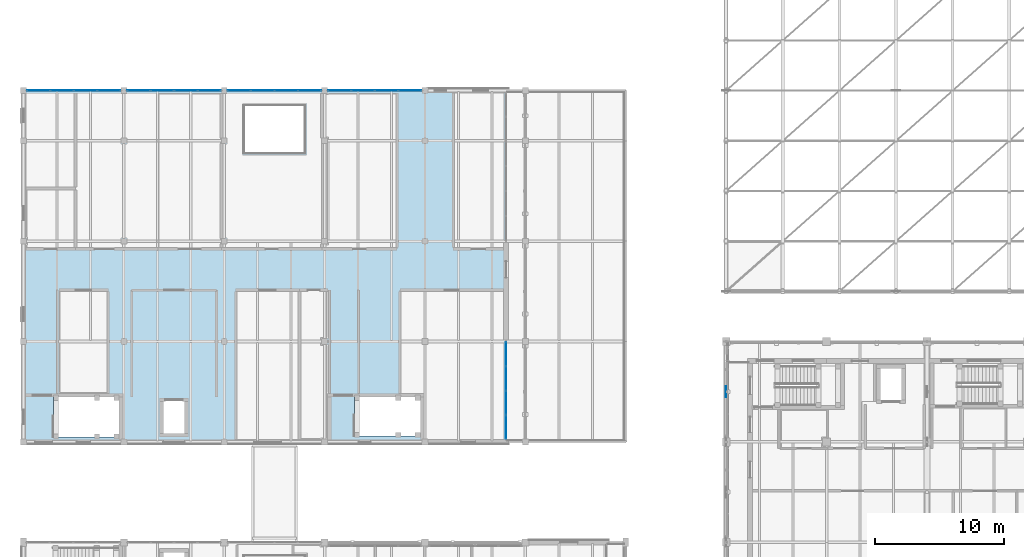
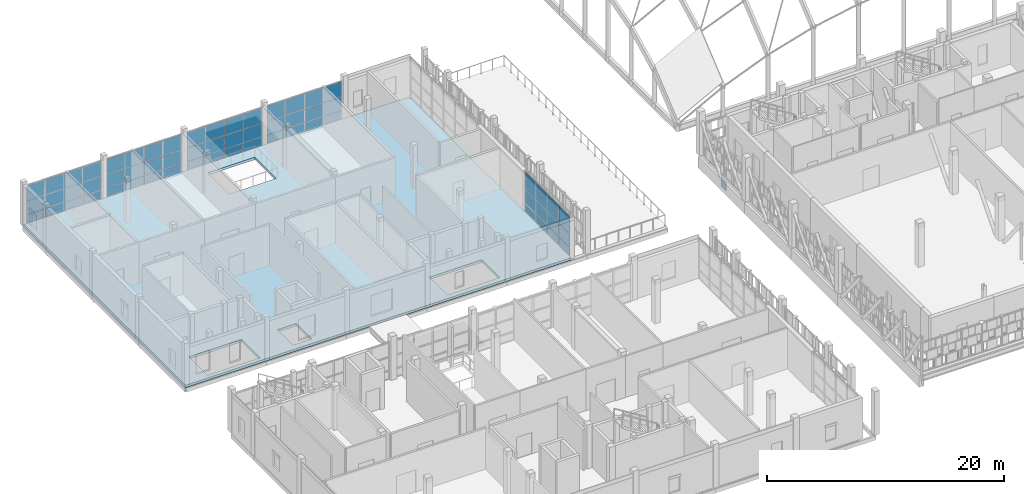
# One storey, part 68 of 119: 61 plates, 1 slab, 5 elements without a shape of their own.
"""IFC4 building model written with IfcOpenShell, lengths in metres."""

from ifc_helpers import new_model, si_unit, direction, frame, origin, origin_2d, place, context, subcontext, project, spatial, polyline, rectangle, outline, extrude, material, layer, layer_set, type_object, element, aggregate, save


model = new_model("IFC4")

# Units and contexts
model_context = context("Model", 3, precision=1e-05, world=origin(), true_north=direction((0.0, 1.0)))
body_context = subcontext(model_context, "Body", "Model", "MODEL_VIEW")
ifc_project = project(units=[si_unit("LENGTHUNIT", "METRE"), si_unit("AREAUNIT", "SQUARE_METRE"), si_unit("VOLUMEUNIT", "CUBIC_METRE"), si_unit("PLANEANGLEUNIT", "RADIAN"), si_unit("MASSUNIT", "GRAM", prefix="KILO")], contexts=[model_context])

# Site, building, storey
site_placement = place(None, origin())
site = spatial("IfcSite", under=ifc_project, at=site_placement, CompositionType="ELEMENT")
building_placement = place(site_placement, origin())
building = spatial("IfcBuilding", under=site, at=building_placement, Name="Celorna Specialist Clinic", CompositionType="ELEMENT")
storey_placement = place(building_placement, frame((0.0, 0.0, 9.60009765625)))
storey = spatial("IfcBuildingStorey", under=building, at=storey_placement, Name="L02", CompositionType="ELEMENT", Elevation=9.60009765625)

# Curtain wall, plates
ifc_material_1 = material(Name="Thermally broken aluminium and solar-control glass curtain wall", Category="aluminium")
ifc_layer_1 = layer(ifc_material_1, 0.159912109375, Name="Thermally broken aluminium and solar-control glass curtain wall")
ifc_layer_set_1 = layer_set([ifc_layer_1], Name="Thermally broken aluminium and solar-control glass curtain wall")
curtain_wall_type_1 = type_object("IfcCurtainWallType", Name="CW-28", PredefinedType="NOTDEFINED", material=ifc_layer_set_1)
curtain_wall_1_placement = place(storey_placement, origin())
curtain_wall_1 = element("IfcCurtainWall", 1, at=curtain_wall_1_placement, inside=storey, type_object=curtain_wall_type_1, Name="Curtain wall CW-28 #57", PredefinedType="NOTDEFINED")
ifc_material_2 = material(Name="Low-e double glazing", Category="glass")
ifc_layer_2 = layer(ifc_material_2, 0.028076171875, Name="Low-e double glazing")
ifc_layer_set_2 = layer_set([ifc_layer_2], Name="Low-e double glazing")
plate_type_1 = type_object("IfcPlateType", Name="CPN-01", PredefinedType="CURTAIN_PANEL", material=ifc_layer_set_2)
plate_1_placement = place(storey_placement, frame((1.1591796875, 62.39990234375, 0.0498046875), z_axis=(0.0, 0.0, 1.0), x_axis=(1.0, 0.0, 0.0)))
plate_1 = element("IfcPlate", 2, at=plate_1_placement, type_object=plate_type_1, Name="CW-28 panel 1.1", PredefinedType="CURTAIN_PANEL", context=body_context, shape_type="SweptSolid", body=[
    extrude(rectangle(XDim=1.760498046875, YDim=0.028076171875, at=origin_2d()), origin(), (0.0, 0.0, 1.0), 0.824951171875),
])
plate_2_placement = place(storey_placement, frame((1.1591796875, 62.39990234375, 0.9248046875), z_axis=(0.0, 0.0, 1.0), x_axis=(1.0, 0.0, 0.0)))
plate_2 = element("IfcPlate", 3, at=plate_2_placement, type_object=plate_type_1, Name="CW-28 panel 1.2", PredefinedType="CURTAIN_PANEL", context=body_context, shape_type="SweptSolid", body=[
    extrude(rectangle(XDim=1.760498046875, YDim=0.028076171875, at=origin_2d()), origin(), (0.0, 0.0, 1.0), 1.35009765625),
])
plate_3_placement = place(storey_placement, frame((1.1591796875, 62.39990234375, 2.32470703125), z_axis=(0.0, 0.0, 1.0), x_axis=(1.0, 0.0, 0.0)))
plate_3 = element("IfcPlate", 4, at=plate_3_placement, type_object=plate_type_1, Name="CW-28 panel 1.3", PredefinedType="CURTAIN_PANEL", context=body_context, shape_type="SweptSolid", body=[
    extrude(rectangle(XDim=1.760498046875, YDim=0.028076171875, at=origin_2d()), origin(), (0.0, 0.0, 1.0), 1.550048828125),
])
plate_4_placement = place(storey_placement, frame((2.982177734375, 62.39990234375, 0.0498046875), z_axis=(0.0, 0.0, 1.0), x_axis=(1.0, 0.0, 0.0)))
plate_4 = element("IfcPlate", 5, at=plate_4_placement, type_object=plate_type_1, Name="CW-28 panel 2.1", PredefinedType="CURTAIN_PANEL", context=body_context, shape_type="SweptSolid", body=[
    extrude(rectangle(XDim=1.785400390625, YDim=0.028076171875, at=origin_2d()), origin(), (0.0, 0.0, 1.0), 0.824951171875),
])
plate_5_placement = place(storey_placement, frame((2.982177734375, 62.39990234375, 0.9248046875), z_axis=(0.0, 0.0, 1.0), x_axis=(1.0, 0.0, 0.0)))
plate_5 = element("IfcPlate", 6, at=plate_5_placement, type_object=plate_type_1, Name="CW-28 panel 2.2", PredefinedType="CURTAIN_PANEL", context=body_context, shape_type="SweptSolid", body=[
    extrude(rectangle(XDim=1.785400390625, YDim=0.028076171875, at=origin_2d()), origin(), (0.0, 0.0, 1.0), 1.35009765625),
])
plate_6_placement = place(storey_placement, frame((2.982177734375, 62.39990234375, 2.32470703125), z_axis=(0.0, 0.0, 1.0), x_axis=(1.0, 0.0, 0.0)))
plate_6 = element("IfcPlate", 7, at=plate_6_placement, type_object=plate_type_1, Name="CW-28 panel 2.3", PredefinedType="CURTAIN_PANEL", context=body_context, shape_type="SweptSolid", body=[
    extrude(rectangle(XDim=1.785400390625, YDim=0.028076171875, at=origin_2d()), origin(), (0.0, 0.0, 1.0), 1.550048828125),
])
plate_7_placement = place(storey_placement, frame((4.81787109375, 62.39990234375, 0.0498046875), z_axis=(0.0, 0.0, 1.0), x_axis=(1.0, 0.0, 0.0)))
plate_7 = element("IfcPlate", 8, at=plate_7_placement, type_object=plate_type_1, Name="CW-28 panel 3.1", PredefinedType="CURTAIN_PANEL", context=body_context, shape_type="SweptSolid", body=[
    extrude(rectangle(XDim=1.785400390625, YDim=0.028076171875, at=origin_2d()), origin(), (0.0, 0.0, 1.0), 0.824951171875),
])
plate_8_placement = place(storey_placement, frame((4.81787109375, 62.39990234375, 0.9248046875), z_axis=(0.0, 0.0, 1.0), x_axis=(1.0, 0.0, 0.0)))
plate_8 = element("IfcPlate", 9, at=plate_8_placement, type_object=plate_type_1, Name="CW-28 panel 3.2", PredefinedType="CURTAIN_PANEL", context=body_context, shape_type="SweptSolid", body=[
    extrude(rectangle(XDim=1.785400390625, YDim=0.028076171875, at=origin_2d()), origin(), (0.0, 0.0, 1.0), 1.35009765625),
])
plate_9_placement = place(storey_placement, frame((4.81787109375, 62.39990234375, 2.32470703125), z_axis=(0.0, 0.0, 1.0), x_axis=(1.0, 0.0, 0.0)))
plate_9 = element("IfcPlate", 10, at=plate_9_placement, type_object=plate_type_1, Name="CW-28 panel 3.3", PredefinedType="CURTAIN_PANEL", context=body_context, shape_type="SweptSolid", body=[
    extrude(rectangle(XDim=1.785400390625, YDim=0.028076171875, at=origin_2d()), origin(), (0.0, 0.0, 1.0), 1.550048828125),
])
plate_10_placement = place(storey_placement, frame((6.640869140625, 62.39990234375, 0.0498046875), z_axis=(0.0, 0.0, 1.0), x_axis=(1.0, 0.0, 0.0)))
plate_10 = element("IfcPlate", 11, at=plate_10_placement, type_object=plate_type_1, Name="CW-28 panel 4.1", PredefinedType="CURTAIN_PANEL", context=body_context, shape_type="SweptSolid", body=[
    extrude(rectangle(XDim=1.760498046875, YDim=0.028076171875, at=origin_2d()), origin(), (0.0, 0.0, 1.0), 0.824951171875),
])
plate_11_placement = place(storey_placement, frame((6.640869140625, 62.39990234375, 0.9248046875), z_axis=(0.0, 0.0, 1.0), x_axis=(1.0, 0.0, 0.0)))
plate_11 = element("IfcPlate", 12, at=plate_11_placement, type_object=plate_type_1, Name="CW-28 panel 4.2", PredefinedType="CURTAIN_PANEL", context=body_context, shape_type="SweptSolid", body=[
    extrude(rectangle(XDim=1.760498046875, YDim=0.028076171875, at=origin_2d()), origin(), (0.0, 0.0, 1.0), 1.35009765625),
])
plate_12_placement = place(storey_placement, frame((6.640869140625, 62.39990234375, 2.32470703125), z_axis=(0.0, 0.0, 1.0), x_axis=(1.0, 0.0, 0.0)))
plate_12 = element("IfcPlate", 13, at=plate_12_placement, type_object=plate_type_1, Name="CW-28 panel 4.3", PredefinedType="CURTAIN_PANEL", context=body_context, shape_type="SweptSolid", body=[
    extrude(rectangle(XDim=1.760498046875, YDim=0.028076171875, at=origin_2d()), origin(), (0.0, 0.0, 1.0), 1.550048828125),
])
aggregate(curtain_wall_1, [plate_1, plate_2, plate_3, plate_4, plate_5, plate_6, plate_7, plate_8, plate_9, plate_10, plate_11, plate_12])

curtain_wall_2_placement = place(storey_placement, origin())
curtain_wall_2 = element("IfcCurtainWall", 14, at=curtain_wall_2_placement, inside=storey, type_object=curtain_wall_type_1, Name="Curtain wall CW-28 #60", PredefinedType="NOTDEFINED")
plate_13_placement = place(storey_placement, frame((24.559326171875, 62.39990234375, 0.0498046875), z_axis=(0.0, 0.0, 1.0), x_axis=(1.0, 0.0, 0.0)))
plate_13 = element("IfcPlate", 15, at=plate_13_placement, type_object=plate_type_1, Name="CW-28 panel 1.1", PredefinedType="CURTAIN_PANEL", context=body_context, shape_type="SweptSolid", body=[
    extrude(rectangle(XDim=1.760498046875, YDim=0.028076171875, at=origin_2d()), origin(), (0.0, 0.0, 1.0), 0.824951171875),
])
plate_14_placement = place(storey_placement, frame((24.559326171875, 62.39990234375, 0.9248046875), z_axis=(0.0, 0.0, 1.0), x_axis=(1.0, 0.0, 0.0)))
plate_14 = element("IfcPlate", 16, at=plate_14_placement, type_object=plate_type_1, Name="CW-28 panel 1.2", PredefinedType="CURTAIN_PANEL", context=body_context, shape_type="SweptSolid", body=[
    extrude(rectangle(XDim=1.760498046875, YDim=0.028076171875, at=origin_2d()), origin(), (0.0, 0.0, 1.0), 1.35009765625),
])
plate_15_placement = place(storey_placement, frame((24.559326171875, 62.39990234375, 2.32470703125), z_axis=(0.0, 0.0, 1.0), x_axis=(1.0, 0.0, 0.0)))
plate_15 = element("IfcPlate", 17, at=plate_15_placement, type_object=plate_type_1, Name="CW-28 panel 1.3", PredefinedType="CURTAIN_PANEL", context=body_context, shape_type="SweptSolid", body=[
    extrude(rectangle(XDim=1.760498046875, YDim=0.028076171875, at=origin_2d()), origin(), (0.0, 0.0, 1.0), 1.550048828125),
])
plate_16_placement = place(storey_placement, frame((26.38232421875, 62.39990234375, 0.0498046875), z_axis=(0.0, 0.0, 1.0), x_axis=(1.0, 0.0, 0.0)))
plate_16 = element("IfcPlate", 18, at=plate_16_placement, type_object=plate_type_1, Name="CW-28 panel 2.1", PredefinedType="CURTAIN_PANEL", context=body_context, shape_type="SweptSolid", body=[
    extrude(rectangle(XDim=1.785400390625, YDim=0.028076171875, at=origin_2d()), origin(), (0.0, 0.0, 1.0), 0.824951171875),
])
plate_17_placement = place(storey_placement, frame((26.38232421875, 62.39990234375, 0.9248046875), z_axis=(0.0, 0.0, 1.0), x_axis=(1.0, 0.0, 0.0)))
plate_17 = element("IfcPlate", 19, at=plate_17_placement, type_object=plate_type_1, Name="CW-28 panel 2.2", PredefinedType="CURTAIN_PANEL", context=body_context, shape_type="SweptSolid", body=[
    extrude(rectangle(XDim=1.785400390625, YDim=0.028076171875, at=origin_2d()), origin(), (0.0, 0.0, 1.0), 1.35009765625),
])
plate_18_placement = place(storey_placement, frame((26.38232421875, 62.39990234375, 2.32470703125), z_axis=(0.0, 0.0, 1.0), x_axis=(1.0, 0.0, 0.0)))
plate_18 = element("IfcPlate", 20, at=plate_18_placement, type_object=plate_type_1, Name="CW-28 panel 2.3", PredefinedType="CURTAIN_PANEL", context=body_context, shape_type="SweptSolid", body=[
    extrude(rectangle(XDim=1.785400390625, YDim=0.028076171875, at=origin_2d()), origin(), (0.0, 0.0, 1.0), 1.550048828125),
])
plate_19_placement = place(storey_placement, frame((28.2177734375, 62.39990234375, 0.0498046875), z_axis=(0.0, 0.0, 1.0), x_axis=(1.0, 0.0, 0.0)))
plate_19 = element("IfcPlate", 21, at=plate_19_placement, type_object=plate_type_1, Name="CW-28 panel 3.1", PredefinedType="CURTAIN_PANEL", context=body_context, shape_type="SweptSolid", body=[
    extrude(rectangle(XDim=1.785400390625, YDim=0.028076171875, at=origin_2d()), origin(), (0.0, 0.0, 1.0), 0.824951171875),
])
plate_20_placement = place(storey_placement, frame((28.2177734375, 62.39990234375, 0.9248046875), z_axis=(0.0, 0.0, 1.0), x_axis=(1.0, 0.0, 0.0)))
plate_20 = element("IfcPlate", 22, at=plate_20_placement, type_object=plate_type_1, Name="CW-28 panel 3.2", PredefinedType="CURTAIN_PANEL", context=body_context, shape_type="SweptSolid", body=[
    extrude(rectangle(XDim=1.785400390625, YDim=0.028076171875, at=origin_2d()), origin(), (0.0, 0.0, 1.0), 1.35009765625),
])
plate_21_placement = place(storey_placement, frame((28.2177734375, 62.39990234375, 2.32470703125), z_axis=(0.0, 0.0, 1.0), x_axis=(1.0, 0.0, 0.0)))
plate_21 = element("IfcPlate", 23, at=plate_21_placement, type_object=plate_type_1, Name="CW-28 panel 3.3", PredefinedType="CURTAIN_PANEL", context=body_context, shape_type="SweptSolid", body=[
    extrude(rectangle(XDim=1.785400390625, YDim=0.028076171875, at=origin_2d()), origin(), (0.0, 0.0, 1.0), 1.550048828125),
])
plate_22_placement = place(storey_placement, frame((30.040771484375, 62.39990234375, 0.0498046875), z_axis=(0.0, 0.0, 1.0), x_axis=(1.0, 0.0, 0.0)))
plate_22 = element("IfcPlate", 24, at=plate_22_placement, type_object=plate_type_1, Name="CW-28 panel 4.1", PredefinedType="CURTAIN_PANEL", context=body_context, shape_type="SweptSolid", body=[
    extrude(rectangle(XDim=1.760498046875, YDim=0.028076171875, at=origin_2d()), origin(), (0.0, 0.0, 1.0), 0.824951171875),
])
plate_23_placement = place(storey_placement, frame((30.040771484375, 62.39990234375, 0.9248046875), z_axis=(0.0, 0.0, 1.0), x_axis=(1.0, 0.0, 0.0)))
plate_23 = element("IfcPlate", 25, at=plate_23_placement, type_object=plate_type_1, Name="CW-28 panel 4.2", PredefinedType="CURTAIN_PANEL", context=body_context, shape_type="SweptSolid", body=[
    extrude(rectangle(XDim=1.760498046875, YDim=0.028076171875, at=origin_2d()), origin(), (0.0, 0.0, 1.0), 1.35009765625),
])
plate_24_placement = place(storey_placement, frame((30.040771484375, 62.39990234375, 2.32470703125), z_axis=(0.0, 0.0, 1.0), x_axis=(1.0, 0.0, 0.0)))
plate_24 = element("IfcPlate", 26, at=plate_24_placement, type_object=plate_type_1, Name="CW-28 panel 4.3", PredefinedType="CURTAIN_PANEL", context=body_context, shape_type="SweptSolid", body=[
    extrude(rectangle(XDim=1.760498046875, YDim=0.028076171875, at=origin_2d()), origin(), (0.0, 0.0, 1.0), 1.550048828125),
])
aggregate(curtain_wall_2, [plate_13, plate_14, plate_15, plate_16, plate_17, plate_18, plate_19, plate_20, plate_21, plate_22, plate_23, plate_24])

ifc_layer_3 = layer(ifc_material_1, 0.159912109375, Name="Thermally broken aluminium and solar-control glass curtain wall")
ifc_layer_set_3 = layer_set([ifc_layer_3], Name="Thermally broken aluminium and solar-control glass curtain wall")
curtain_wall_type_2 = type_object("IfcCurtainWallType", Name="CW-31", PredefinedType="NOTDEFINED", material=ifc_layer_set_3)
curtain_wall_3_placement = place(storey_placement, origin())
curtain_wall_3 = element("IfcCurtainWall", 27, at=curtain_wall_3_placement, inside=storey, type_object=curtain_wall_type_2, Name="Curtain wall CW-31 #61", PredefinedType="NOTDEFINED")
plate_25_placement = place(storey_placement, frame((37.5, 41.933349609375, 0.0498046875), z_axis=(0.0, 0.0, 1.0), x_axis=(0.0, -1.0, 0.0)))
plate_25 = element("IfcPlate", 28, at=plate_25_placement, type_object=plate_type_1, Name="CW-31 panel 1.1", PredefinedType="CURTAIN_PANEL", context=body_context, shape_type="SweptSolid", body=[
    extrude(rectangle(XDim=1.825439453125, YDim=0.028076171875, at=origin_2d()), origin(), (0.0, 0.0, 1.0), 0.824951171875),
])
plate_26_placement = place(storey_placement, frame((37.5, 41.933349609375, 0.9248046875), z_axis=(0.0, 0.0, 1.0), x_axis=(0.0, -1.0, 0.0)))
plate_26 = element("IfcPlate", 29, at=plate_26_placement, type_object=plate_type_1, Name="CW-31 panel 1.2", PredefinedType="CURTAIN_PANEL", context=body_context, shape_type="SweptSolid", body=[
    extrude(rectangle(XDim=1.825439453125, YDim=0.028076171875, at=origin_2d()), origin(), (0.0, 0.0, 1.0), 1.35009765625),
])
plate_27_placement = place(storey_placement, frame((37.5, 41.933349609375, 2.32470703125), z_axis=(0.0, 0.0, 1.0), x_axis=(0.0, -1.0, 0.0)))
plate_27 = element("IfcPlate", 30, at=plate_27_placement, type_object=plate_type_1, Name="CW-31 panel 1.3", PredefinedType="CURTAIN_PANEL", context=body_context, shape_type="SweptSolid", body=[
    extrude(rectangle(XDim=1.825439453125, YDim=0.028076171875, at=origin_2d()), origin(), (0.0, 0.0, 1.0), 1.864990234375),
])
plate_28_placement = place(storey_placement, frame((37.5, 40.045166015625, 0.0498046875), z_axis=(0.0, 0.0, 1.0), x_axis=(0.0, -1.0, 0.0)))
plate_28 = element("IfcPlate", 31, at=plate_28_placement, type_object=plate_type_1, Name="CW-31 panel 2.1", PredefinedType="CURTAIN_PANEL", context=body_context, shape_type="SweptSolid", body=[
    extrude(rectangle(XDim=1.8505859375, YDim=0.028076171875, at=origin_2d()), origin(), (0.0, 0.0, 1.0), 0.824951171875),
])
plate_29_placement = place(storey_placement, frame((37.5, 40.045166015625, 0.9248046875), z_axis=(0.0, 0.0, 1.0), x_axis=(0.0, -1.0, 0.0)))
plate_29 = element("IfcPlate", 32, at=plate_29_placement, type_object=plate_type_1, Name="CW-31 panel 2.2", PredefinedType="CURTAIN_PANEL", context=body_context, shape_type="SweptSolid", body=[
    extrude(rectangle(XDim=1.8505859375, YDim=0.028076171875, at=origin_2d()), origin(), (0.0, 0.0, 1.0), 1.35009765625),
])
plate_30_placement = place(storey_placement, frame((37.5, 40.045166015625, 2.32470703125), z_axis=(0.0, 0.0, 1.0), x_axis=(0.0, -1.0, 0.0)))
plate_30 = element("IfcPlate", 33, at=plate_30_placement, type_object=plate_type_1, Name="CW-31 panel 2.3", PredefinedType="CURTAIN_PANEL", context=body_context, shape_type="SweptSolid", body=[
    extrude(rectangle(XDim=1.8505859375, YDim=0.028076171875, at=origin_2d()), origin(), (0.0, 0.0, 1.0), 1.864990234375),
])
plate_31_placement = place(storey_placement, frame((37.5, 38.144775390625, 0.0498046875), z_axis=(0.0, 0.0, 1.0), x_axis=(0.0, -1.0, 0.0)))
plate_31 = element("IfcPlate", 34, at=plate_31_placement, type_object=plate_type_1, Name="CW-31 panel 3.1", PredefinedType="CURTAIN_PANEL", context=body_context, shape_type="SweptSolid", body=[
    extrude(rectangle(XDim=1.8505859375, YDim=0.028076171875, at=origin_2d()), origin(), (0.0, 0.0, 1.0), 0.824951171875),
])
plate_32_placement = place(storey_placement, frame((37.5, 38.144775390625, 0.9248046875), z_axis=(0.0, 0.0, 1.0), x_axis=(0.0, -1.0, 0.0)))
plate_32 = element("IfcPlate", 35, at=plate_32_placement, type_object=plate_type_1, Name="CW-31 panel 3.2", PredefinedType="CURTAIN_PANEL", context=body_context, shape_type="SweptSolid", body=[
    extrude(rectangle(XDim=1.8505859375, YDim=0.028076171875, at=origin_2d()), origin(), (0.0, 0.0, 1.0), 1.35009765625),
])
plate_33_placement = place(storey_placement, frame((37.5, 38.144775390625, 2.32470703125), z_axis=(0.0, 0.0, 1.0), x_axis=(0.0, -1.0, 0.0)))
plate_33 = element("IfcPlate", 36, at=plate_33_placement, type_object=plate_type_1, Name="CW-31 panel 3.3", PredefinedType="CURTAIN_PANEL", context=body_context, shape_type="SweptSolid", body=[
    extrude(rectangle(XDim=1.8505859375, YDim=0.028076171875, at=origin_2d()), origin(), (0.0, 0.0, 1.0), 1.864990234375),
])
plate_34_placement = place(storey_placement, frame((37.5, 36.2568359375, 0.0498046875), z_axis=(0.0, 0.0, 1.0), x_axis=(0.0, -1.0, 0.0)))
plate_34 = element("IfcPlate", 37, at=plate_34_placement, type_object=plate_type_1, Name="CW-31 panel 4.1", PredefinedType="CURTAIN_PANEL", context=body_context, shape_type="SweptSolid", body=[
    extrude(rectangle(XDim=1.825439453125, YDim=0.028076171875, at=origin_2d()), origin(), (0.0, 0.0, 1.0), 0.824951171875),
])
plate_35_placement = place(storey_placement, frame((37.5, 36.2568359375, 0.9248046875), z_axis=(0.0, 0.0, 1.0), x_axis=(0.0, -1.0, 0.0)))
plate_35 = element("IfcPlate", 38, at=plate_35_placement, type_object=plate_type_1, Name="CW-31 panel 4.2", PredefinedType="CURTAIN_PANEL", context=body_context, shape_type="SweptSolid", body=[
    extrude(rectangle(XDim=1.825439453125, YDim=0.028076171875, at=origin_2d()), origin(), (0.0, 0.0, 1.0), 1.35009765625),
])
plate_36_placement = place(storey_placement, frame((37.5, 36.2568359375, 2.32470703125), z_axis=(0.0, 0.0, 1.0), x_axis=(0.0, -1.0, 0.0)))
plate_36 = element("IfcPlate", 39, at=plate_36_placement, type_object=plate_type_1, Name="CW-31 panel 4.3", PredefinedType="CURTAIN_PANEL", context=body_context, shape_type="SweptSolid", body=[
    extrude(rectangle(XDim=1.825439453125, YDim=0.028076171875, at=origin_2d()), origin(), (0.0, 0.0, 1.0), 1.864990234375),
])
aggregate(curtain_wall_3, [plate_25, plate_26, plate_27, plate_28, plate_29, plate_30, plate_31, plate_32, plate_33, plate_34, plate_35, plate_36])

ifc_layer_4 = layer(ifc_material_1, 0.159912109375, Name="Thermally broken aluminium and solar-control glass curtain wall")
ifc_layer_set_4 = layer_set([ifc_layer_4], Name="Thermally broken aluminium and solar-control glass curtain wall")
curtain_wall_type_3 = type_object("IfcCurtainWallType", Name="CW-29", PredefinedType="NOTDEFINED", material=ifc_layer_set_4)
curtain_wall_4_placement = place(storey_placement, origin())
curtain_wall_4 = element("IfcCurtainWall", 40, at=curtain_wall_4_placement, inside=storey, type_object=curtain_wall_type_3, Name="Curtain wall CW-29 #58", PredefinedType="NOTDEFINED")
ifc_material_3 = material(Name="Solar-control triple glazing", Category="glass")
ifc_layer_5 = layer(ifc_material_3, 0.035888671875, Name="Solar-control triple glazing")
ifc_layer_set_5 = layer_set([ifc_layer_5], Name="Solar-control triple glazing")
plate_type_2 = type_object("IfcPlateType", Name="CPN-02", PredefinedType="CURTAIN_PANEL", material=ifc_layer_set_5)
plate_37_placement = place(storey_placement, frame((8.959228515625, 62.39990234375, 0.0498046875), z_axis=(0.0, 0.0, 1.0), x_axis=(1.0, 0.0, 0.0)))
plate_37 = element("IfcPlate", 41, at=plate_37_placement, type_object=plate_type_2, Name="CW-29 panel 1.1", PredefinedType="CURTAIN_PANEL", context=body_context, shape_type="SweptSolid", body=[
    extrude(rectangle(XDim=1.760498046875, YDim=0.035888671875, at=origin_2d()), origin(), (0.0, 0.0, 1.0), 0.824951171875),
])
plate_38_placement = place(storey_placement, frame((8.959228515625, 62.39990234375, 0.9248046875), z_axis=(0.0, 0.0, 1.0), x_axis=(1.0, 0.0, 0.0)))
plate_38 = element("IfcPlate", 42, at=plate_38_placement, type_object=plate_type_2, Name="CW-29 panel 1.2", PredefinedType="CURTAIN_PANEL", context=body_context, shape_type="SweptSolid", body=[
    extrude(rectangle(XDim=1.760498046875, YDim=0.035888671875, at=origin_2d()), origin(), (0.0, 0.0, 1.0), 1.35009765625),
])
plate_39_placement = place(storey_placement, frame((8.959228515625, 62.39990234375, 2.32470703125), z_axis=(0.0, 0.0, 1.0), x_axis=(1.0, 0.0, 0.0)))
plate_39 = element("IfcPlate", 43, at=plate_39_placement, type_object=plate_type_2, Name="CW-29 panel 1.3", PredefinedType="CURTAIN_PANEL", context=body_context, shape_type="SweptSolid", body=[
    extrude(rectangle(XDim=1.760498046875, YDim=0.035888671875, at=origin_2d()), origin(), (0.0, 0.0, 1.0), 1.550048828125),
])
plate_40_placement = place(storey_placement, frame((10.7822265625, 62.39990234375, 0.0498046875), z_axis=(0.0, 0.0, 1.0), x_axis=(1.0, 0.0, 0.0)))
plate_40 = element("IfcPlate", 44, at=plate_40_placement, type_object=plate_type_2, Name="CW-29 panel 2.1", PredefinedType="CURTAIN_PANEL", context=body_context, shape_type="SweptSolid", body=[
    extrude(rectangle(XDim=1.785400390625, YDim=0.035888671875, at=origin_2d()), origin(), (0.0, 0.0, 1.0), 0.824951171875),
])
plate_41_placement = place(storey_placement, frame((10.7822265625, 62.39990234375, 0.9248046875), z_axis=(0.0, 0.0, 1.0), x_axis=(1.0, 0.0, 0.0)))
plate_41 = element("IfcPlate", 45, at=plate_41_placement, type_object=plate_type_2, Name="CW-29 panel 2.2", PredefinedType="CURTAIN_PANEL", context=body_context, shape_type="SweptSolid", body=[
    extrude(rectangle(XDim=1.785400390625, YDim=0.035888671875, at=origin_2d()), origin(), (0.0, 0.0, 1.0), 1.35009765625),
])
plate_42_placement = place(storey_placement, frame((10.7822265625, 62.39990234375, 2.32470703125), z_axis=(0.0, 0.0, 1.0), x_axis=(1.0, 0.0, 0.0)))
plate_42 = element("IfcPlate", 46, at=plate_42_placement, type_object=plate_type_2, Name="CW-29 panel 2.3", PredefinedType="CURTAIN_PANEL", context=body_context, shape_type="SweptSolid", body=[
    extrude(rectangle(XDim=1.785400390625, YDim=0.035888671875, at=origin_2d()), origin(), (0.0, 0.0, 1.0), 1.550048828125),
])
plate_43_placement = place(storey_placement, frame((12.61767578125, 62.39990234375, 0.0498046875), z_axis=(0.0, 0.0, 1.0), x_axis=(1.0, 0.0, 0.0)))
plate_43 = element("IfcPlate", 47, at=plate_43_placement, type_object=plate_type_2, Name="CW-29 panel 3.1", PredefinedType="CURTAIN_PANEL", context=body_context, shape_type="SweptSolid", body=[
    extrude(rectangle(XDim=1.785400390625, YDim=0.035888671875, at=origin_2d()), origin(), (0.0, 0.0, 1.0), 0.824951171875),
])
plate_44_placement = place(storey_placement, frame((12.61767578125, 62.39990234375, 0.9248046875), z_axis=(0.0, 0.0, 1.0), x_axis=(1.0, 0.0, 0.0)))
plate_44 = element("IfcPlate", 48, at=plate_44_placement, type_object=plate_type_2, Name="CW-29 panel 3.2", PredefinedType="CURTAIN_PANEL", context=body_context, shape_type="SweptSolid", body=[
    extrude(rectangle(XDim=1.785400390625, YDim=0.035888671875, at=origin_2d()), origin(), (0.0, 0.0, 1.0), 1.35009765625),
])
plate_45_placement = place(storey_placement, frame((12.61767578125, 62.39990234375, 2.32470703125), z_axis=(0.0, 0.0, 1.0), x_axis=(1.0, 0.0, 0.0)))
plate_45 = element("IfcPlate", 49, at=plate_45_placement, type_object=plate_type_2, Name="CW-29 panel 3.3", PredefinedType="CURTAIN_PANEL", context=body_context, shape_type="SweptSolid", body=[
    extrude(rectangle(XDim=1.785400390625, YDim=0.035888671875, at=origin_2d()), origin(), (0.0, 0.0, 1.0), 1.550048828125),
])
plate_46_placement = place(storey_placement, frame((14.440673828125, 62.39990234375, 0.0498046875), z_axis=(0.0, 0.0, 1.0), x_axis=(1.0, 0.0, 0.0)))
plate_46 = element("IfcPlate", 50, at=plate_46_placement, type_object=plate_type_2, Name="CW-29 panel 4.1", PredefinedType="CURTAIN_PANEL", context=body_context, shape_type="SweptSolid", body=[
    extrude(rectangle(XDim=1.760498046875, YDim=0.035888671875, at=origin_2d()), origin(), (0.0, 0.0, 1.0), 0.824951171875),
])
plate_47_placement = place(storey_placement, frame((14.440673828125, 62.39990234375, 0.9248046875), z_axis=(0.0, 0.0, 1.0), x_axis=(1.0, 0.0, 0.0)))
plate_47 = element("IfcPlate", 51, at=plate_47_placement, type_object=plate_type_2, Name="CW-29 panel 4.2", PredefinedType="CURTAIN_PANEL", context=body_context, shape_type="SweptSolid", body=[
    extrude(rectangle(XDim=1.760498046875, YDim=0.035888671875, at=origin_2d()), origin(), (0.0, 0.0, 1.0), 1.35009765625),
])
plate_48_placement = place(storey_placement, frame((14.440673828125, 62.39990234375, 2.32470703125), z_axis=(0.0, 0.0, 1.0), x_axis=(1.0, 0.0, 0.0)))
plate_48 = element("IfcPlate", 52, at=plate_48_placement, type_object=plate_type_2, Name="CW-29 panel 4.3", PredefinedType="CURTAIN_PANEL", context=body_context, shape_type="SweptSolid", body=[
    extrude(rectangle(XDim=1.760498046875, YDim=0.035888671875, at=origin_2d()), origin(), (0.0, 0.0, 1.0), 1.550048828125),
])
aggregate(curtain_wall_4, [plate_37, plate_38, plate_39, plate_40, plate_41, plate_42, plate_43, plate_44, plate_45, plate_46, plate_47, plate_48])

ifc_layer_6 = layer(ifc_material_1, 0.159912109375, Name="Thermally broken aluminium and solar-control glass curtain wall")
ifc_layer_set_6 = layer_set([ifc_layer_6], Name="Thermally broken aluminium and solar-control glass curtain wall")
curtain_wall_type_4 = type_object("IfcCurtainWallType", Name="CW-30", PredefinedType="NOTDEFINED", material=ifc_layer_set_6)
curtain_wall_5_placement = place(storey_placement, origin())
curtain_wall_5 = element("IfcCurtainWall", 53, at=curtain_wall_5_placement, inside=storey, type_object=curtain_wall_type_4, Name="Curtain wall CW-30 #59", PredefinedType="NOTDEFINED")
ifc_material_4 = material(Name="Glazed polychrome ceramic insulated spandrel")
ifc_layer_7 = layer(ifc_material_4, 0.0439453125, Name="Glazed polychrome ceramic insulated spandrel")
ifc_layer_set_7 = layer_set([ifc_layer_7], Name="Glazed polychrome ceramic insulated spandrel")
plate_type_3 = type_object("IfcPlateType", Name="CPN-03", PredefinedType="CURTAIN_PANEL", material=ifc_layer_set_7)
plate_49_placement = place(storey_placement, frame((16.75927734375, 62.39990234375, 0.0498046875), z_axis=(0.0, 0.0, 1.0), x_axis=(1.0, 0.0, 0.0)))
plate_49 = element("IfcPlate", 54, at=plate_49_placement, type_object=plate_type_3, Name="CW-30 panel 1.1", PredefinedType="CURTAIN_PANEL", context=body_context, shape_type="SweptSolid", body=[
    extrude(rectangle(XDim=1.760498046875, YDim=0.0439453125, at=origin_2d()), origin(), (0.0, 0.0, 1.0), 0.824951171875),
])
plate_50_placement = place(storey_placement, frame((16.75927734375, 62.39990234375, 0.9248046875), z_axis=(0.0, 0.0, 1.0), x_axis=(1.0, 0.0, 0.0)))
plate_50 = element("IfcPlate", 55, at=plate_50_placement, type_object=plate_type_3, Name="CW-30 panel 1.2", PredefinedType="CURTAIN_PANEL", context=body_context, shape_type="SweptSolid", body=[
    extrude(rectangle(XDim=1.760498046875, YDim=0.0439453125, at=origin_2d()), origin(), (0.0, 0.0, 1.0), 1.35009765625),
])
plate_51_placement = place(storey_placement, frame((16.75927734375, 62.39990234375, 2.32470703125), z_axis=(0.0, 0.0, 1.0), x_axis=(1.0, 0.0, 0.0)))
plate_51 = element("IfcPlate", 56, at=plate_51_placement, type_object=plate_type_3, Name="CW-30 panel 1.3", PredefinedType="CURTAIN_PANEL", context=body_context, shape_type="SweptSolid", body=[
    extrude(rectangle(XDim=1.760498046875, YDim=0.0439453125, at=origin_2d()), origin(), (0.0, 0.0, 1.0), 1.550048828125),
])
plate_52_placement = place(storey_placement, frame((18.582275390625, 62.39990234375, 0.0498046875), z_axis=(0.0, 0.0, 1.0), x_axis=(1.0, 0.0, 0.0)))
plate_52 = element("IfcPlate", 57, at=plate_52_placement, type_object=plate_type_3, Name="CW-30 panel 2.1", PredefinedType="CURTAIN_PANEL", context=body_context, shape_type="SweptSolid", body=[
    extrude(rectangle(XDim=1.785400390625, YDim=0.0439453125, at=origin_2d()), origin(), (0.0, 0.0, 1.0), 0.824951171875),
])
plate_53_placement = place(storey_placement, frame((18.582275390625, 62.39990234375, 0.9248046875), z_axis=(0.0, 0.0, 1.0), x_axis=(1.0, 0.0, 0.0)))
plate_53 = element("IfcPlate", 58, at=plate_53_placement, type_object=plate_type_3, Name="CW-30 panel 2.2", PredefinedType="CURTAIN_PANEL", context=body_context, shape_type="SweptSolid", body=[
    extrude(rectangle(XDim=1.785400390625, YDim=0.0439453125, at=origin_2d()), origin(), (0.0, 0.0, 1.0), 1.35009765625),
])
plate_54_placement = place(storey_placement, frame((18.582275390625, 62.39990234375, 2.32470703125), z_axis=(0.0, 0.0, 1.0), x_axis=(1.0, 0.0, 0.0)))
plate_54 = element("IfcPlate", 59, at=plate_54_placement, type_object=plate_type_3, Name="CW-30 panel 2.3", PredefinedType="CURTAIN_PANEL", context=body_context, shape_type="SweptSolid", body=[
    extrude(rectangle(XDim=1.785400390625, YDim=0.0439453125, at=origin_2d()), origin(), (0.0, 0.0, 1.0), 1.550048828125),
])
plate_55_placement = place(storey_placement, frame((20.417724609375, 62.39990234375, 0.0498046875), z_axis=(0.0, 0.0, 1.0), x_axis=(1.0, 0.0, 0.0)))
plate_55 = element("IfcPlate", 60, at=plate_55_placement, type_object=plate_type_3, Name="CW-30 panel 3.1", PredefinedType="CURTAIN_PANEL", context=body_context, shape_type="SweptSolid", body=[
    extrude(rectangle(XDim=1.785400390625, YDim=0.0439453125, at=origin_2d()), origin(), (0.0, 0.0, 1.0), 0.824951171875),
])
plate_56_placement = place(storey_placement, frame((20.417724609375, 62.39990234375, 0.9248046875), z_axis=(0.0, 0.0, 1.0), x_axis=(1.0, 0.0, 0.0)))
plate_56 = element("IfcPlate", 61, at=plate_56_placement, type_object=plate_type_3, Name="CW-30 panel 3.2", PredefinedType="CURTAIN_PANEL", context=body_context, shape_type="SweptSolid", body=[
    extrude(rectangle(XDim=1.785400390625, YDim=0.0439453125, at=origin_2d()), origin(), (0.0, 0.0, 1.0), 1.35009765625),
])
plate_57_placement = place(storey_placement, frame((20.417724609375, 62.39990234375, 2.32470703125), z_axis=(0.0, 0.0, 1.0), x_axis=(1.0, 0.0, 0.0)))
plate_57 = element("IfcPlate", 62, at=plate_57_placement, type_object=plate_type_3, Name="CW-30 panel 3.3", PredefinedType="CURTAIN_PANEL", context=body_context, shape_type="SweptSolid", body=[
    extrude(rectangle(XDim=1.785400390625, YDim=0.0439453125, at=origin_2d()), origin(), (0.0, 0.0, 1.0), 1.550048828125),
])
plate_58_placement = place(storey_placement, frame((22.24072265625, 62.39990234375, 0.0498046875), z_axis=(0.0, 0.0, 1.0), x_axis=(1.0, 0.0, 0.0)))
plate_58 = element("IfcPlate", 63, at=plate_58_placement, type_object=plate_type_3, Name="CW-30 panel 4.1", PredefinedType="CURTAIN_PANEL", context=body_context, shape_type="SweptSolid", body=[
    extrude(rectangle(XDim=1.760498046875, YDim=0.0439453125, at=origin_2d()), origin(), (0.0, 0.0, 1.0), 0.824951171875),
])
plate_59_placement = place(storey_placement, frame((22.24072265625, 62.39990234375, 0.9248046875), z_axis=(0.0, 0.0, 1.0), x_axis=(1.0, 0.0, 0.0)))
plate_59 = element("IfcPlate", 64, at=plate_59_placement, type_object=plate_type_3, Name="CW-30 panel 4.2", PredefinedType="CURTAIN_PANEL", context=body_context, shape_type="SweptSolid", body=[
    extrude(rectangle(XDim=1.760498046875, YDim=0.0439453125, at=origin_2d()), origin(), (0.0, 0.0, 1.0), 1.35009765625),
])
plate_60_placement = place(storey_placement, frame((22.24072265625, 62.39990234375, 2.32470703125), z_axis=(0.0, 0.0, 1.0), x_axis=(1.0, 0.0, 0.0)))
plate_60 = element("IfcPlate", 65, at=plate_60_placement, type_object=plate_type_3, Name="CW-30 panel 4.3", PredefinedType="CURTAIN_PANEL", context=body_context, shape_type="SweptSolid", body=[
    extrude(rectangle(XDim=1.760498046875, YDim=0.0439453125, at=origin_2d()), origin(), (0.0, 0.0, 1.0), 1.550048828125),
])
aggregate(curtain_wall_5, [plate_49, plate_50, plate_51, plate_52, plate_53, plate_54, plate_55, plate_56, plate_57, plate_58, plate_59, plate_60])

# Plate
ifc_material_5 = material(Name="Steel S355", Category="steel")
ifc_layer_8 = layer(ifc_material_5, 0.028076171875, Name="Steel S355")
ifc_layer_set_8 = layer_set([ifc_layer_8], Name="Steel S355")
plate_type_4 = type_object("IfcPlateType", Name="GP-01", PredefinedType="USERDEFINED", material=ifc_layer_set_8)
plate_61_placement = place(storey_placement, frame((54.60009765625, 39.0, -1.26025390625), z_axis=(0.0, 0.0, 1.0), x_axis=(0.0, 1.0, 0.0)))
element("IfcPlate", 66, at=plate_61_placement, inside=storey, type_object=plate_type_4, Name="Truss node gusset plate TN-016", ObjectType="GUSSET PLATE", PredefinedType="USERDEFINED", context=body_context, shape_type="SweptSolid", body=[
    extrude(rectangle(XDim=0.85009765625, YDim=0.028076171875, at=origin_2d()), origin(), (0.0, 0.0, 1.0), 0.85009765625),
])

# Slab
ifc_material_6 = material(Name="Concrete C35/45", Category="concrete")
ifc_layer_9 = layer(ifc_material_6, 0.260009765625, Name="Concrete C35/45")
ifc_layer_set_9 = layer_set([ifc_layer_9], Name="Concrete C35/45")
slab_type = type_object("IfcSlabType", Name="SL-08", PredefinedType="FLOOR", material=ifc_layer_set_9)
slab_placement = place(storey_placement, frame((0.0, 0.0, -0.260009765625)))
element("IfcSlab", 67, at=slab_placement, inside=storey, type_object=slab_type, Name="V2 L02 structural slab SL-08", PredefinedType="FLOOR", context=body_context, shape_type="SweptSolid", body=[
    extrude(outline(polyline([(37.5, 35.10009765625), (37.5, 62.39990234375), (0.0, 62.39990234375), (0.0, 35.10009765625), (37.5, 35.10009765625)]), holes=[polyline([(2.340087890625, 35.47998046875), (7.43994140625, 35.47998046875), (7.43994140625, 38.580078125), (2.340087890625, 38.580078125), (2.340087890625, 35.47998046875)]), polyline([(25.739990234375, 35.580078125), (30.840087890625, 35.580078125), (30.840087890625, 38.580078125), (25.739990234375, 38.580078125), (25.739990234375, 35.580078125)]), polyline([(10.794921875, 35.695068359375), (12.60498046875, 35.695068359375), (12.60498046875, 38.304931640625), (10.794921875, 38.304931640625), (10.794921875, 35.695068359375)]), polyline([(17.199951171875, 57.60009765625), (21.800048828125, 57.60009765625), (21.800048828125, 61.199951171875), (17.199951171875, 61.199951171875), (17.199951171875, 57.60009765625)])]), origin(), (0.0, 0.0, 1.0), 0.260009765625),
])

save(model, "model.ifc")
